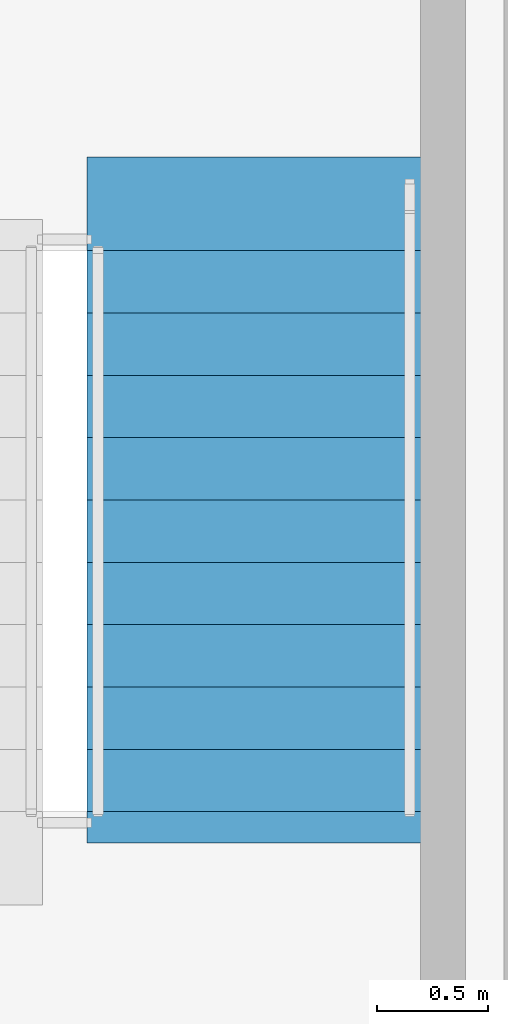
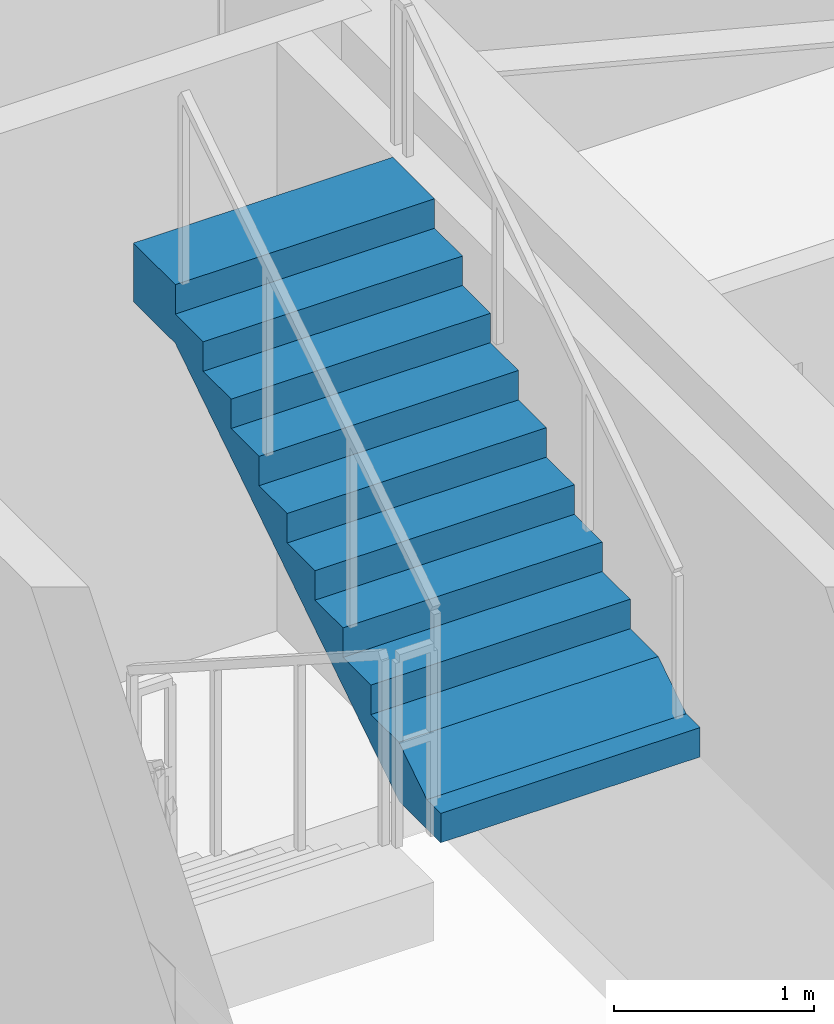
# One storey, part 12 of 14: 1 stair flight, 1 element without a shape of its own.
"""IFC4 building model written with IfcOpenShell, lengths in metres."""

from ifc_helpers import new_model, si_unit, direction, frame, origin, place, context, subcontext, project, spatial, polyline, outline, extrude, material, layer, layer_set, type_object, element, aggregate, save


model = new_model("IFC4")

# Units and contexts
model_context = context("Model", 3, precision=1e-05, world=origin(), true_north=direction((0.0, 1.0)))
body_context = subcontext(model_context, "Body", "Model", "MODEL_VIEW")
ifc_project = project(units=[si_unit("LENGTHUNIT", "METRE"), si_unit("AREAUNIT", "SQUARE_METRE"), si_unit("VOLUMEUNIT", "CUBIC_METRE"), si_unit("PLANEANGLEUNIT", "RADIAN"), si_unit("MASSUNIT", "GRAM", prefix="KILO")], contexts=[model_context])

# Site, building, storey
site_placement = place(None, origin())
site = spatial("IfcSite", under=ifc_project, at=site_placement, CompositionType="ELEMENT")
building_placement = place(site_placement, origin())
building = spatial("IfcBuilding", under=site, at=building_placement, Name="Talgorran Terracotta Tower", CompositionType="ELEMENT")
storey_placement = place(building_placement, frame((0.0, 0.0, 56.699951171875)))
storey = spatial("IfcBuildingStorey", under=building, at=storey_placement, Name="L14", CompositionType="ELEMENT", Elevation=56.699951171875)

# Stair, stair flight
ifc_material = material(Name="Concrete C40/50", Category="concrete")
stair_type = type_object("IfcStairType", Name="ST_FIRE_SCISSOR", PredefinedType="HALF_TURN_STAIR", material=ifc_material)
stair_placement = place(storey_placement, origin())
stair = element("IfcStair", 1, at=stair_placement, inside=storey, type_object=stair_type, Name="L14 East Protected Fire Stair ST-02", PredefinedType="HALF_TURN_STAIR")
ifc_layer = layer(ifc_material, 0.179931640625, Name="STF_RC_1500")
ifc_layer_set = layer_set([ifc_layer], Name="Concrete C40/50")
stair_flight_type = type_object("IfcStairFlightType", Name="STF_RC_1500", PredefinedType="STRAIGHT", material=ifc_layer_set)
stair_flight_placement = place(storey_placement, frame((11.050048828125, -9.719970703125, 1.800048828125), z_axis=(0.0, 0.0, 1.0), x_axis=(0.0, 1.0, 0.0)))
stair_flight = element("IfcStairFlight", 2, at=stair_flight_placement, type_object=stair_flight_type, Name="ST-02 flight 2", NumberOfRisers=10, NumberOfTreads=9, PredefinedType="STRAIGHT", RiserHeight=0.18, TreadLength=0.28, context=body_context, shape_type="SweptSolid", body=[
    extrude(outline(polyline([(-0.139892578125, 0.0), (-0.139892578125, 0.179931640625), (0.0, 0.179931640625), (0.280029296875, 0.360107421875), (0.56005859375, 0.360107421875), (0.56005859375, 0.5400390625), (0.840087890625, 0.5400390625), (0.840087890625, 0.719970703125), (1.1201171875, 0.719970703125), (1.1201171875, 0.89990234375), (1.39990234375, 0.89990234375), (1.39990234375, 1.080078125), (1.679931640625, 1.080078125), (1.679931640625, 1.260009765625), (1.9599609375, 1.260009765625), (1.9599609375, 1.43994140625), (2.239990234375, 1.43994140625), (2.239990234375, 1.6201171875), (2.52001953125, 1.6201171875), (2.52001953125, 1.800048828125), (2.93994140625, 1.800048828125), (2.93994140625, 1.44189453125), (2.52001953125, 1.44189453125), (0.277099609375, 0.0), (-0.139892578125, 0.0)])), frame((0.0, 0.75, 0.0), z_axis=(0.0, -1.0, 0.0), x_axis=(1.0, 0.0, 0.0)), (0.0, 0.0, 1.0), 1.5),
])
aggregate(stair, [stair_flight])

save(model, "model.ifc")
